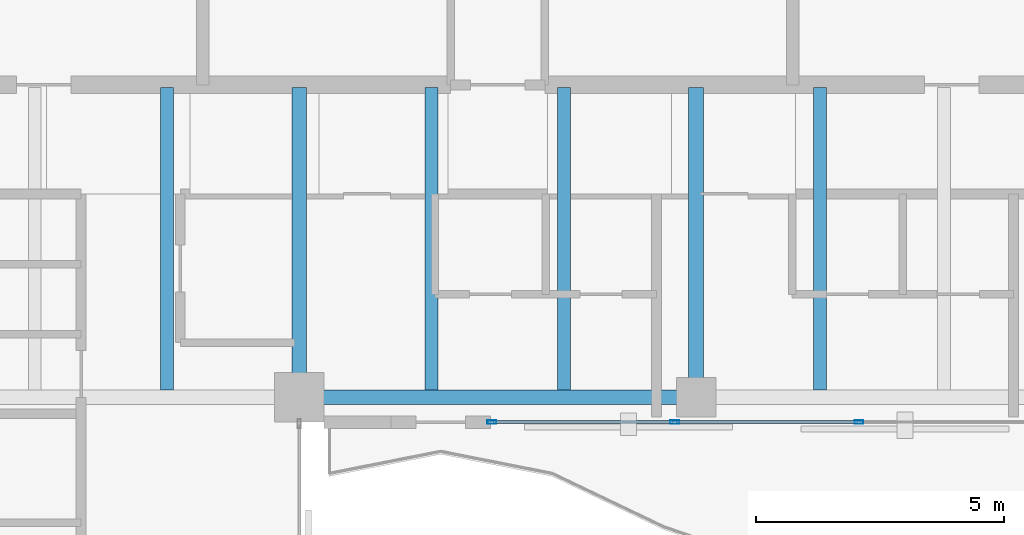
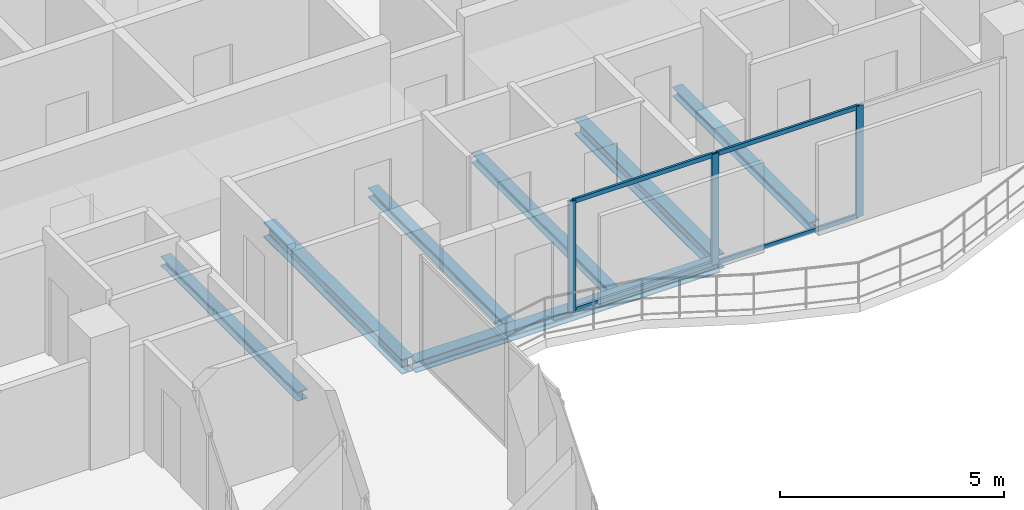
# One storey, part 11 of 23: 7 beams, 7 members, 1 element without a shape of its own.
"""IFC4 building model written with IfcOpenShell, lengths in metres."""

import ifcopenshell
import ifcopenshell.guid

model = None  # the IFC model being written
_history = None  # IfcOwnerHistory: only IFC2X3 demands one
_inside = {}  # id of a spatial element -> (the spatial element, [elements in it])
_under = {}  # id of a project, library or spatial element -> (it, [spatial elements below it])
_declared = {}  # id of a project -> (the project, [libraries it declares])
_typed = {}  # id of a type object -> (the type object, [elements of that type])
_made_of = {}  # id of a material, layer set ... -> (it, [elements and type objects made of it])


def new_model(schema):
    """Start an empty IFC model of exactly this schema.

    Asked for "IFC4X3", IfcOpenShell would pick the latest addendum, in which some entities
    have other attributes; the version numbers below select the first issue.
    IFC2X3 requires an IfcOwnerHistory on every rooted entity: one is made here for all.
    """
    global model, _history
    if schema == "IFC4X3":
        model = ifcopenshell.file(schema_version=(4, 3, 0, 0))
    else:
        model = ifcopenshell.file(schema=schema)
    _inside.clear()
    _under.clear()
    _declared.clear()
    _typed.clear()
    _made_of.clear()
    _history = None
    if model.schema == "IFC2X3":
        org = make("IfcOrganization", Name="unknown")
        user = make(
            "IfcPersonAndOrganization",
            ThePerson=make("IfcPerson", FamilyName="unknown"),
            TheOrganization=org,
        )
        app = make(
            "IfcApplication",
            ApplicationDeveloper=org,
            Version="unknown",
            ApplicationFullName="unknown",
            ApplicationIdentifier="unknown",
        )
        _history = make(
            "IfcOwnerHistory",
            OwningUser=user,
            OwningApplication=app,
            ChangeAction="ADDED",
            CreationDate=0,
        )
    return model


def make(cls, **values):
    """One entity of the class cls with the attributes given. An attribute that is None is left unset."""
    return model.create_entity(
        cls, **{name: value for name, value in values.items() if value is not None}
    )


def rooted(cls, **values):
    """An entity with a GlobalId (a new one), such as an element, a storey or a relation."""
    return make(cls, GlobalId=ifcopenshell.guid.new(), OwnerHistory=_history, **values)


def si_unit(unit_type, name, prefix=None):
    """IfcSIUnit, for example si_unit("LENGTHUNIT", "METRE", prefix="MILLI")."""
    return make("IfcSIUnit", UnitType=unit_type, Prefix=prefix, Name=name)


def assignment(units):
    """IfcUnitAssignment: the units of a project."""
    return None if units is None else make("IfcUnitAssignment", Units=units)


def point(xyz):
    """IfcCartesianPoint."""
    return None if xyz is None else make("IfcCartesianPoint", Coordinates=xyz)


def direction(xyz):
    """IfcDirection."""
    return None if xyz is None else make("IfcDirection", DirectionRatios=xyz)


def frame(location, z_axis=None, x_axis=None):
    """IfcAxis2Placement3D, a coordinate frame: its origin and axes. An axis left out is left unset."""
    return make(
        "IfcAxis2Placement3D",
        Location=point(location),
        Axis=direction(z_axis),
        RefDirection=direction(x_axis),
    )


def frame_2d(location, x_axis=None):
    """IfcAxis2Placement2D, a coordinate frame in the plane: its origin and x axis."""
    return make(
        "IfcAxis2Placement2D", Location=point(location), RefDirection=direction(x_axis)
    )


def origin():
    """The frame at (0, 0, 0) with its axes left unset."""
    return frame((0.0, 0.0, 0.0))


def origin_2d():
    """The frame at (0, 0) in the plane with its x axis left unset."""
    return frame_2d((0.0, 0.0))


def place(relative_to, where):
    """IfcLocalPlacement: puts the frame where relative to a parent placement (None: the world)."""
    return make(
        "IfcLocalPlacement", PlacementRelTo=relative_to, RelativePlacement=where
    )


def context(
    kind, dimensions, precision=None, world=None, true_north=None, identifier=None
):
    """IfcGeometricRepresentationContext, for example the 3D "Model" context."""
    return make(
        "IfcGeometricRepresentationContext",
        ContextIdentifier=identifier,
        ContextType=kind,
        CoordinateSpaceDimension=dimensions,
        Precision=precision,
        WorldCoordinateSystem=world,
        TrueNorth=true_north,
    )


def subcontext(parent, identifier, kind, view, scale=None):
    """IfcGeometricRepresentationSubContext, for example "Body" below "Model"."""
    return make(
        "IfcGeometricRepresentationSubContext",
        ContextIdentifier=identifier,
        ContextType=kind,
        ParentContext=parent,
        TargetScale=scale,
        TargetView=view,
    )


def project(units=None, contexts=None):
    """IfcProject with its units and contexts."""
    return rooted(
        "IfcProject",
        Name="project",
        RepresentationContexts=contexts,
        UnitsInContext=assignment(units),
    )


def spatial(cls, under=None, at=None, **own):
    """A site, building, storey or space (cls), placed at a placement, below another one or the project."""
    s = rooted(cls, ObjectPlacement=at, **own)
    if under is not None:
        _under.setdefault(under.id(), (under, []))[1].append(s)
    return s


def profile(cls, at=None, kind="AREA", **sizes):
    """A parametric profile (cls). Its sizes go by their IFC names, for example OverallWidth=200.0."""
    return make(cls, ProfileType=kind, Position=at, **sizes)


def hollow_rectangle(**sizes):
    """IfcRectangleHollowProfileDef."""
    return profile("IfcRectangleHollowProfileDef", **sizes)


def i_section(**sizes):
    """IfcIShapeProfileDef."""
    return profile("IfcIShapeProfileDef", **sizes)


def extrude(swept, where, along, depth):
    """IfcExtrudedAreaSolid: the profile swept, set in the frame where, extruded along a direction by depth."""
    return make(
        "IfcExtrudedAreaSolid",
        SweptArea=swept,
        Position=where,
        ExtrudedDirection=direction(along),
        Depth=depth,
    )


def shape(context_of_items, identifier, shape_type, items):
    """IfcShapeRepresentation: the items that make up one representation, for example the "Body"."""
    return make(
        "IfcShapeRepresentation",
        ContextOfItems=context_of_items,
        RepresentationIdentifier=identifier,
        RepresentationType=shape_type,
        Items=items,
    )


def material(Name=None, Category=None):
    """IfcMaterial."""
    return make("IfcMaterial", Name=Name, Category=Category)


def layer(
    of_material, thickness, ventilated=None, Name=None, Category=None, Priority=None
):
    """IfcMaterialLayer: one layer of a wall or slab, of a material (None: an air gap)."""
    return make(
        "IfcMaterialLayer",
        Material=of_material,
        LayerThickness=thickness,
        IsVentilated=ventilated,
        Name=Name,
        Category=Category,
        Priority=Priority,
    )


def layer_set(layers, Name=None):
    """IfcMaterialLayerSet."""
    return make("IfcMaterialLayerSet", MaterialLayers=layers, LayerSetName=Name)


def material_profile(
    of_material, cross_section, Name=None, Category=None, Priority=None
):
    """IfcMaterialProfile: a cross section and its material."""
    return make(
        "IfcMaterialProfile",
        Name=Name,
        Material=of_material,
        Profile=cross_section,
        Priority=Priority,
        Category=Category,
    )


def profile_set(profiles, Name=None, composite=None):
    """IfcMaterialProfileSet."""
    return make(
        "IfcMaterialProfileSet",
        Name=Name,
        MaterialProfiles=profiles,
        CompositeProfile=composite,
    )


def made_of(thing, what):
    """Note that an element or type object is made of a material, layer set ...; save() writes the relation."""
    if what is not None:
        _made_of.setdefault(what.id(), (what, []))[1].append(thing)
    return thing


def type_object(cls, material=None, **own):
    """A type object (cls), such as IfcWallType, which elements share."""
    return made_of(rooted(cls, **own), material)


def element(
    cls,
    number,
    at=None,
    inside=None,
    cuts=None,
    type_object=None,
    material=None,
    context=None,
    identifier="Body",
    shape_type=None,
    held_by="IfcProductDefinitionShape",
    body=None,
    shapes=None,
    **own,
):
    """One element of the class cls, such as IfcWall. Its Tag is "e" and its number.

    at: its placement. inside: the storey or other place that contains it. cuts: it is an
    opening in that element (IfcRelVoidsElement). A single representation is given by context,
    identifier, shape_type and body (its items); several are given by shapes. held_by: the class
    of the entity that holds the representations. save() writes the other relations.
    """
    e = rooted(cls, Tag="e%d" % number, ObjectPlacement=at, **own)
    if body is not None:
        shapes = [shape(context, identifier, shape_type, body)]
    if shapes is not None:
        e.Representation = make(held_by, Representations=shapes)
    if inside is not None:
        _inside.setdefault(inside.id(), (inside, []))[1].append(e)
    if cuts is not None:
        rooted(
            "IfcRelVoidsElement", RelatingBuildingElement=cuts, RelatedOpeningElement=e
        )
    if type_object is not None:
        _typed.setdefault(type_object.id(), (type_object, []))[1].append(e)
    return made_of(e, material)


def aggregate(whole, parts):
    """IfcRelAggregates: a whole, such as a stair, and the parts it consists of."""
    return rooted("IfcRelAggregates", RelatingObject=whole, RelatedObjects=parts)


def save(model, path):
    """Write the relations noted so far, then the file.

    IfcRelAggregates (storeys below a building ...), IfcRelContainedInSpatialStructure (elements
    in a storey), IfcRelDefinesByType, IfcRelAssociatesMaterial and IfcRelDeclares: one each for
    every whole, place, type object, material and project.
    """
    for whole, parts in _under.values():
        aggregate(whole, parts)
    for where, things in _inside.values():
        rooted(
            "IfcRelContainedInSpatialStructure",
            RelatedElements=things,
            RelatingStructure=where,
        )
    for kind, things in _typed.values():
        rooted("IfcRelDefinesByType", RelatedObjects=things, RelatingType=kind)
    for what, things in _made_of.values():
        rooted("IfcRelAssociatesMaterial", RelatedObjects=things, RelatingMaterial=what)
    for by, libraries in _declared.values():
        rooted("IfcRelDeclares", RelatingContext=by, RelatedDefinitions=libraries)
    model.write(path)


model = new_model("IFC4")

# Units and contexts
model_context = context("Model", 3, precision=1e-05, world=origin(), true_north=direction((0.0, 1.0)))
body_context = subcontext(model_context, "Body", "Model", "MODEL_VIEW")
ifc_project = project(units=[si_unit("LENGTHUNIT", "METRE"), si_unit("AREAUNIT", "SQUARE_METRE"), si_unit("VOLUMEUNIT", "CUBIC_METRE"), si_unit("PLANEANGLEUNIT", "RADIAN"), si_unit("MASSUNIT", "GRAM", prefix="KILO")], contexts=[model_context])

# Site, building, storey
site_placement = place(None, origin())
site = spatial("IfcSite", under=ifc_project, at=site_placement, CompositionType="ELEMENT")
building_placement = place(site_placement, origin())
building = spatial("IfcBuilding", under=site, at=building_placement, Name="Catumbela Crestline Tower", CompositionType="ELEMENT")
storey_placement = place(building_placement, frame((0.0, 0.0, 175.8)))
storey = spatial("IfcBuildingStorey", under=building, at=storey_placement, Name="L45", CompositionType="ELEMENT", Elevation=175.8)

# Beams
ifc_material_1 = material(Name="Structural steel S355J2", Category="steel")
ifc_material_profile_1 = material_profile(ifc_material_1, i_section(OverallWidth=0.3, OverallDepth=0.4, WebThickness=0.0135, FlangeThickness=0.024, FilletRadius=0.027, at=origin_2d()), Name="HEB 400")
ifc_profile_set_1 = profile_set([ifc_material_profile_1], Name="Structural steel S355J2")
beam_type_1 = type_object("IfcBeamType", Name="BG-HEB400", PredefinedType="BEAM", material=ifc_profile_set_1)
for number, where, z_axis, x_axis, name in (
    (1, (24.0, 24.58, -0.46), (0.0, 1.0, 0.0), (-1.0, 0.0, 0.0), "L45 Beam BM-L45-SNS18"),
    (2, (32.0, 24.58, -0.46), (0.0, 1.0, 0.0), (-1.0, 0.0, 0.0), "L45 Beam BM-L45-SNS19"),
):
    element("IfcBeam", number, at=place(storey_placement, frame(where, z_axis=z_axis, x_axis=x_axis)), inside=storey, type_object=beam_type_1, Name=name, PredefinedType="BEAM", context=body_context, shape_type="SweptSolid", body=[
        extrude(i_section(OverallWidth=0.3, OverallDepth=0.4, WebThickness=0.0135, FlangeThickness=0.024, FilletRadius=0.027, at=origin_2d()), origin(), (0.0, 0.0, 1.0), 6.17),
    ])
ifc_material_profile_2 = material_profile(ifc_material_1, i_section(OverallWidth=0.26, OverallDepth=0.25, WebThickness=0.0075, FlangeThickness=0.0125, FilletRadius=0.024, at=origin_2d()), Name="HEA 260")
ifc_profile_set_2 = profile_set([ifc_material_profile_2], Name="Structural steel S355J2")
beam_type_2 = type_object("IfcBeamType", Name="BJ-HEA260", PredefinedType="JOIST", material=ifc_profile_set_2)
for number, where, z_axis, x_axis, name in (
    (3, (21.333, 24.647, -0.385), (0.0, 1.0, 0.0), (-1.0, 0.0, 0.0), "L45 Joist JS-L45-SP27"),
    (4, (26.667, 24.647, -0.385), (0.0, 1.0, 0.0), (-1.0, 0.0, 0.0), "L45 Joist JS-L45-SP28"),
    (5, (29.333, 24.647, -0.385), (0.0, 1.0, 0.0), (-1.0, 0.0, 0.0), "L45 Joist JS-L45-SP29"),
    (6, (34.5, 24.647, -0.385), (0.0, 1.0, 0.0), (-1.0, 0.0, 0.0), "L45 Joist JS-L45-SP30"),
):
    element("IfcBeam", number, at=place(storey_placement, frame(where, z_axis=z_axis, x_axis=x_axis)), inside=storey, type_object=beam_type_2, Name=name, PredefinedType="JOIST", context=body_context, shape_type="SweptSolid", body=[
        extrude(i_section(OverallWidth=0.26, OverallDepth=0.25, WebThickness=0.0075, FlangeThickness=0.0125, FilletRadius=0.024, at=origin_2d()), origin(), (0.0, 0.0, 1.0), 6.103),
    ])

# Curtain wall, members
ifc_material_2 = material(Name="Aluminium alloy AW-6060-T66", Category="aluminium")
ifc_layer = layer(ifc_material_2, 0.18, Name="Aluminium alloy AW-6060-T66")
ifc_layer_set = layer_set([ifc_layer], Name="Aluminium alloy AW-6060-T66")
curtain_wall_type = type_object("IfcCurtainWallType", Name="CWU-Z3", PredefinedType="USERDEFINED", material=ifc_layer_set)
curtain_wall_placement = place(storey_placement, origin())
curtain_wall = element("IfcCurtainWall", 7, at=curtain_wall_placement, inside=storey, type_object=curtain_wall_type, Name="L45 Unitised Curtain Wall CW-L45-E3S2", ObjectType="UNITISED", PredefinedType="USERDEFINED")
ifc_material_profile_3 = material_profile(ifc_material_2, hollow_rectangle(XDim=0.065, YDim=0.18, WallThickness=0.004, at=origin_2d()), Name="ALU 180x65x4")
ifc_profile_set_3 = profile_set([ifc_material_profile_3], Name="Aluminium alloy AW-6060-T66")
member_type_1 = type_object("IfcMemberType", Name="MUL-180X65", PredefinedType="MULLION", material=ifc_profile_set_3)
member_1_placement = place(storey_placement, frame((27.8825, 24.0, 0.0), z_axis=(0.0, 0.0, 1.0), x_axis=(0.0, 1.0, 0.0)))
member_1 = element("IfcMember", 8, at=member_1_placement, type_object=member_type_1, Name="CWU-Z3 mullion 1", PredefinedType="MULLION", context=body_context, shape_type="SweptSolid", body=[
    extrude(hollow_rectangle(XDim=0.065, YDim=0.18, WallThickness=0.004, at=origin_2d()), origin(), (0.0, 0.0, 1.0), 3.02),
])
member_2_placement = place(storey_placement, frame((31.5667, 24.0, 0.0), z_axis=(0.0, 0.0, 1.0), x_axis=(0.0, 1.0, 0.0)))
member_2 = element("IfcMember", 9, at=member_2_placement, type_object=member_type_1, Name="CWU-Z3 mullion 2", PredefinedType="MULLION", context=body_context, shape_type="SweptSolid", body=[
    extrude(hollow_rectangle(XDim=0.065, YDim=0.18, WallThickness=0.004, at=origin_2d()), origin(), (0.0, 0.0, 1.0), 3.02),
])
member_3_placement = place(storey_placement, frame((35.2833, 24.0, 0.0), z_axis=(0.0, 0.0, 1.0), x_axis=(0.0, 1.0, 0.0)))
member_3 = element("IfcMember", 10, at=member_3_placement, type_object=member_type_1, Name="CWU-Z3 mullion 3", PredefinedType="MULLION", context=body_context, shape_type="SweptSolid", body=[
    extrude(hollow_rectangle(XDim=0.065, YDim=0.18, WallThickness=0.004, at=origin_2d()), origin(), (0.0, 0.0, 1.0), 3.02),
])

# Beam
ifc_material_profile_4 = material_profile(ifc_material_1, i_section(OverallWidth=0.3, OverallDepth=0.3, WebThickness=0.011, FlangeThickness=0.019, FilletRadius=0.027, at=origin_2d()), Name="HEB 300")
ifc_profile_set_4 = profile_set([ifc_material_profile_4], Name="Structural steel S355J2")
beam_type_3 = type_object("IfcBeamType", Name="BS-HEB300", PredefinedType="SPANDREL", material=ifc_profile_set_4)
beam_placement = place(storey_placement, frame((24.08, 24.5, -0.41), z_axis=(1.0, 0.0, 0.0), x_axis=(0.0, 1.0, 0.0)))
element("IfcBeam", 11, at=beam_placement, inside=storey, type_object=beam_type_3, Name="L45 Spandrel SP-L45-S04", PredefinedType="SPANDREL", context=body_context, shape_type="SweptSolid", body=[
    extrude(i_section(OverallWidth=0.3, OverallDepth=0.3, WebThickness=0.011, FlangeThickness=0.019, FilletRadius=0.027, at=origin_2d()), origin(), (0.0, 0.0, 1.0), 7.84),
])

# Member
ifc_material_profile_5 = material_profile(ifc_material_2, hollow_rectangle(XDim=0.06, YDim=0.12, WallThickness=0.0035, at=origin_2d()), Name="ALU 120x60x3.5")
ifc_profile_set_5 = profile_set([ifc_material_profile_5], Name="Aluminium alloy AW-6060-T66")
member_type_2 = type_object("IfcMemberType", Name="TRN-120X60", PredefinedType="USERDEFINED", material=ifc_profile_set_5)
member_4_placement = place(storey_placement, frame((27.915, 24.0, 0.03), z_axis=(1.0, 0.0, 0.0), x_axis=(0.0, 1.0, 0.0)))
member_4 = element("IfcMember", 12, at=member_4_placement, type_object=member_type_2, Name="CWU-Z3 transom 1.1", ObjectType="TRANSOM", PredefinedType="USERDEFINED", context=body_context, shape_type="SweptSolid", body=[
    extrude(hollow_rectangle(XDim=0.06, YDim=0.12, WallThickness=0.0035, at=origin_2d()), origin(), (0.0, 0.0, 1.0), 3.6192),
])

member_5_placement = place(storey_placement, frame((27.915, 24.0, 2.99), z_axis=(1.0, 0.0, 0.0), x_axis=(0.0, 1.0, 0.0)))
member_5 = element("IfcMember", 13, at=member_5_placement, type_object=member_type_2, Name="CWU-Z3 transom 1.2", ObjectType="TRANSOM", PredefinedType="USERDEFINED", context=body_context, shape_type="SweptSolid", body=[
    extrude(hollow_rectangle(XDim=0.06, YDim=0.12, WallThickness=0.0035, at=origin_2d()), origin(), (0.0, 0.0, 1.0), 3.6192),
])

member_6_placement = place(storey_placement, frame((31.5992, 24.0, 0.03), z_axis=(1.0, 0.0, 0.0), x_axis=(0.0, 1.0, 0.0)))
member_6 = element("IfcMember", 14, at=member_6_placement, type_object=member_type_2, Name="CWU-Z3 transom 2.1", ObjectType="TRANSOM", PredefinedType="USERDEFINED", context=body_context, shape_type="SweptSolid", body=[
    extrude(hollow_rectangle(XDim=0.06, YDim=0.12, WallThickness=0.0035, at=origin_2d()), origin(), (0.0, 0.0, 1.0), 3.6516),
])

member_7_placement = place(storey_placement, frame((31.5992, 24.0, 2.99), z_axis=(1.0, 0.0, 0.0), x_axis=(0.0, 1.0, 0.0)))
member_7 = element("IfcMember", 15, at=member_7_placement, type_object=member_type_2, Name="CWU-Z3 transom 2.2", ObjectType="TRANSOM", PredefinedType="USERDEFINED", context=body_context, shape_type="SweptSolid", body=[
    extrude(hollow_rectangle(XDim=0.06, YDim=0.12, WallThickness=0.0035, at=origin_2d()), origin(), (0.0, 0.0, 1.0), 3.6516),
])

aggregate(curtain_wall, [member_1, member_2, member_3, member_4, member_5, member_6, member_7])

save(model, "model.ifc")
